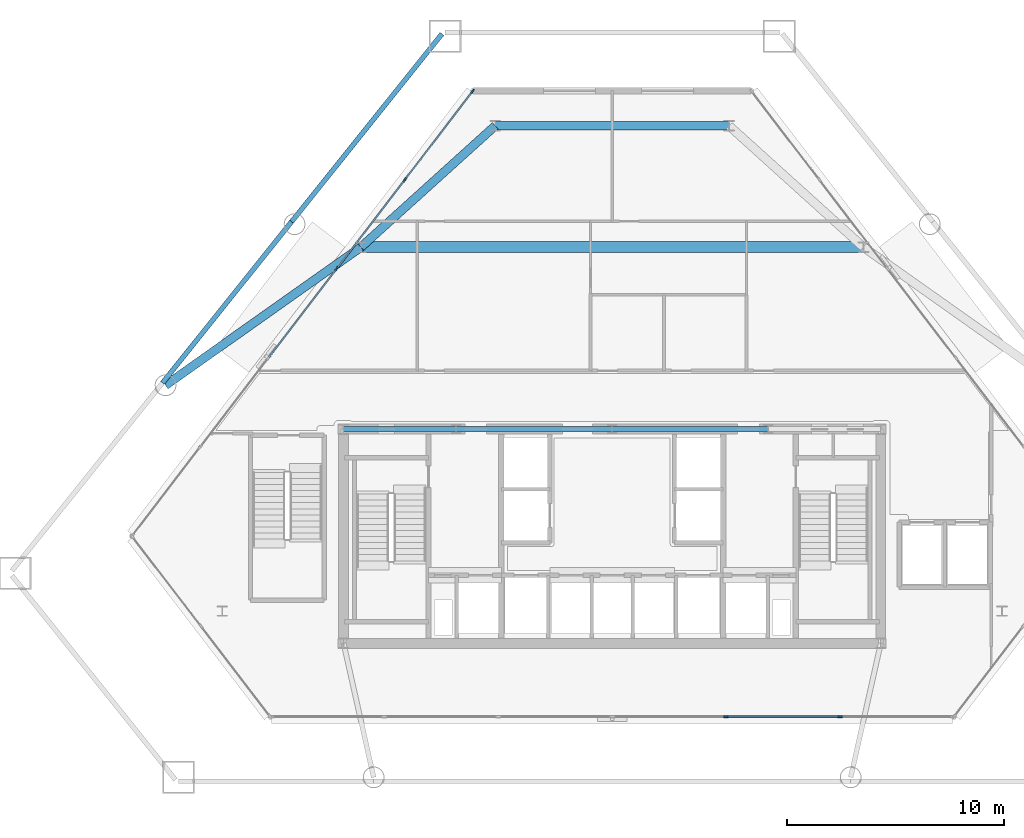
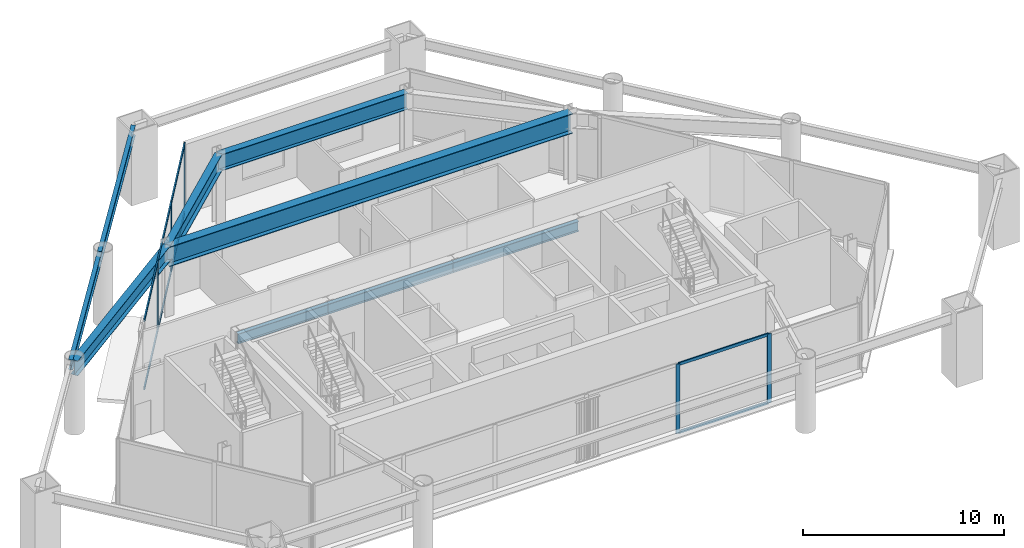
# One storey, part 4 of 11: 13 members, 9 beams, 2 elements without a shape of their own.
"""IFC4 building model written with IfcOpenShell, lengths in metres."""

from ifc_helpers import new_model, si_unit, direction, frame, origin, origin_2d, place, context, subcontext, project, spatial, rectangle, i_section, extrude, material, layer, layer_set, material_profile, profile_set, type_object, element, aggregate, save


model = new_model("IFC4")

# Units and contexts
model_context = context("Model", 3, precision=1e-05, world=origin(), true_north=direction((0.0, 1.0)))
body_context = subcontext(model_context, "Body", "Model", "MODEL_VIEW")
ifc_project = project(units=[si_unit("LENGTHUNIT", "METRE"), si_unit("AREAUNIT", "SQUARE_METRE"), si_unit("VOLUMEUNIT", "CUBIC_METRE"), si_unit("PLANEANGLEUNIT", "RADIAN"), si_unit("MASSUNIT", "GRAM", prefix="KILO")], contexts=[model_context])

# Site, building, storey
site_placement = place(None, origin())
site = spatial("IfcSite", under=ifc_project, at=site_placement, CompositionType="ELEMENT")
building_placement = place(site_placement, origin())
building = spatial("IfcBuilding", under=site, at=building_placement, Name="Talgorran Terracotta Tower", CompositionType="ELEMENT")
storey_placement = place(building_placement, frame((0.0, 0.0, 5.39990234375)))
storey = spatial("IfcBuildingStorey", under=building, at=storey_placement, Name="L01", CompositionType="ELEMENT", Elevation=5.39990234375)

# Beams
ifc_material_1 = material(Name="Steel Grade 350 (350L0)", Category="steel")
ifc_material_profile_1 = material_profile(ifc_material_1, i_section(OverallWidth=0.39990234375, OverallDepth=1.0, WebThickness=0.01611328125, FlangeThickness=0.031005859375, at=origin_2d()), Name="1000WB296")
ifc_profile_set_1 = profile_set([ifc_material_profile_1], Name="Steel Grade 350 (350L0)")
beam_type_1 = type_object("IfcBeamType", Name="BM_1000WB296", PredefinedType="BEAM", material=ifc_profile_set_1)
beam_1_placement = place(storey_placement, frame((-11.60009765625, 4.199951171875, 3.72021484375), z_axis=(0.742107331558, 0.670281066754, 0.0), x_axis=(-0.670281066754, 0.742107331558, 0.0)))
element("IfcBeam", 1, at=beam_1_placement, inside=storey, type_object=beam_type_1, Name="L01 Podium Girder PG2", PredefinedType="BEAM", context=body_context, shape_type="SweptSolid", body=[
    extrude(i_section(OverallWidth=0.39990234375, OverallDepth=1.0, WebThickness=0.01611328125, FlangeThickness=0.031005859375, at=origin_2d()), origin(), (0.0, 0.0, 1.0), 8.354736328125),
])
beam_2_placement = place(storey_placement, frame((-5.39990234375, 9.800048828125, 3.72021484375), z_axis=(1.0, 0.0, 0.0), x_axis=(0.0, 1.0, 0.0)))
element("IfcBeam", 2, at=beam_2_placement, inside=storey, type_object=beam_type_1, Name="L01 Podium Girder PG4", PredefinedType="BEAM", context=body_context, shape_type="SweptSolid", body=[
    extrude(i_section(OverallWidth=0.39990234375, OverallDepth=1.0, WebThickness=0.01611328125, FlangeThickness=0.031005859375, at=origin_2d()), origin(), (0.0, 0.0, 1.0), 10.7998046875),
])
ifc_material_profile_2 = material_profile(ifc_material_1, i_section(OverallWidth=0.5, OverallDepth=1.199951171875, WebThickness=0.01611328125, FlangeThickness=0.035888671875, at=origin_2d()), Name="1200WB392")
ifc_profile_set_2 = profile_set([ifc_material_profile_2], Name="Steel Grade 350 (350L0)")
beam_type_2 = type_object("IfcBeamType", Name="BM_1200WB392", PredefinedType="BEAM", material=ifc_profile_set_2)
beam_3_placement = place(storey_placement, frame((-11.60009765625, 4.199951171875, 3.6201171875), z_axis=(1.0, 0.0, 0.0), x_axis=(0.0, 1.0, 0.0)))
element("IfcBeam", 3, at=beam_3_placement, inside=storey, type_object=beam_type_2, Name="L01 Podium Girder PG1", PredefinedType="BEAM", context=body_context, shape_type="SweptSolid", body=[
    extrude(i_section(OverallWidth=0.5, OverallDepth=1.199951171875, WebThickness=0.01611328125, FlangeThickness=0.035888671875, at=origin_2d()), origin(), (0.0, 0.0, 1.0), 23.2001953125),
])
ifc_material_profile_3 = material_profile(ifc_material_1, i_section(OverallWidth=0.39990234375, OverallDepth=0.907958984375, WebThickness=0.01611328125, FlangeThickness=0.02490234375, at=origin_2d()), Name="900WB257")
ifc_profile_set_3 = profile_set([ifc_material_profile_3], Name="Steel Grade 350 (350L0)")
beam_type_3 = type_object("IfcBeamType", Name="BM_900WB257", PredefinedType="BEAM", material=ifc_profile_set_3)
beam_4_placement = place(storey_placement, frame((-20.620361328125, -2.1787109375, 3.76611328125), z_axis=(0.816480686171, 0.577372747113, 0.0), x_axis=(-0.577372747113, 0.816480686171, 0.0)))
element("IfcBeam", 4, at=beam_4_placement, inside=storey, type_object=beam_type_3, Name="L01 Podium Girder PG7", PredefinedType="BEAM", context=body_context, shape_type="SweptSolid", body=[
    extrude(i_section(OverallWidth=0.39990234375, OverallDepth=0.907958984375, WebThickness=0.01611328125, FlangeThickness=0.02490234375, at=origin_2d()), origin(), (0.0, 0.0, 1.0), 11.0478515625),
])
ifc_material_2 = material(Name="Steel S355 (300PLUS)", Category="steel")
ifc_material_profile_4 = material_profile(ifc_material_2, i_section(OverallWidth=0.22900390625, OverallDepth=0.611572265625, WebThickness=0.011962890625, FlangeThickness=0.01953125, at=origin_2d()), Name="610UB125")
ifc_profile_set_4 = profile_set([ifc_material_profile_4], Name="Steel S355 (300PLUS)")
beam_type_4 = type_object("IfcBeamType", Name="BM_SP_610UB125", PredefinedType="SPANDREL", material=ifc_profile_set_4)
beam_5_placement = place(storey_placement, frame((-7.854736328125, 14.048583984375, 3.914306640625), z_axis=(-0.625115426811, -0.780532320383, 0.0), x_axis=(0.780532320383, -0.625115426811, 0.0)))
element("IfcBeam", 5, at=beam_5_placement, inside=storey, type_object=beam_type_4, Name="L01 Perimeter Spandrel Beam MC6-FC5", PredefinedType="SPANDREL", context=body_context, shape_type="SweptSolid", body=[
    extrude(i_section(OverallWidth=0.22900390625, OverallDepth=0.611572265625, WebThickness=0.011962890625, FlangeThickness=0.01953125, at=origin_2d()), origin(), (0.0, 0.0, 1.0), 11.1171875),
])
beam_6_placement = place(storey_placement, frame((-14.80419921875, 5.371337890625, 3.914306640625), z_axis=(-0.625101149619, -0.780543754536, 0.0), x_axis=(0.780543754536, -0.625101149619, 0.0)))
element("IfcBeam", 6, at=beam_6_placement, inside=storey, type_object=beam_type_4, Name="L01 Perimeter Spandrel Beam FC5-FC6", PredefinedType="SPANDREL", context=body_context, shape_type="SweptSolid", body=[
    extrude(i_section(OverallWidth=0.22900390625, OverallDepth=0.611572265625, WebThickness=0.011962890625, FlangeThickness=0.01953125, at=origin_2d()), origin(), (0.0, 0.0, 1.0), 9.52880859375),
])
beam_7_placement = place(storey_placement, frame((-12.39990234375, -4.199951171875, 3.914306640625), z_axis=(1.0, 0.0, 0.0), x_axis=(0.0, 1.0, 0.0)))
element("IfcBeam", 7, at=beam_7_placement, inside=storey, type_object=beam_type_4, Name="L01 Core Frame Beam CFN1", PredefinedType="SPANDREL", context=body_context, shape_type="SweptSolid", body=[
    extrude(i_section(OverallWidth=0.22900390625, OverallDepth=0.611572265625, WebThickness=0.011962890625, FlangeThickness=0.01953125, at=origin_2d()), origin(), (0.0, 0.0, 1.0), 5.199951171875),
])
for number, where, z_axis, x_axis, name in (
    (8, (-7.199951171875, -4.199951171875, 3.914306640625), (1.0, 0.0, 0.0), (0.0, 1.0, 0.0), "L01 Core Frame Beam CFN2"),
    (9, (0.0, -4.199951171875, 3.914306640625), (1.0, 0.0, 0.0), (0.0, 1.0, 0.0), "L01 Core Frame Beam CFN3"),
):
    element("IfcBeam", number, at=place(storey_placement, frame(where, z_axis=z_axis, x_axis=x_axis)), inside=storey, type_object=beam_type_4, Name=name, PredefinedType="SPANDREL", context=body_context, shape_type="SweptSolid", body=[
        extrude(i_section(OverallWidth=0.22900390625, OverallDepth=0.611572265625, WebThickness=0.011962890625, FlangeThickness=0.01953125, at=origin_2d()), origin(), (0.0, 0.0, 1.0), 7.199951171875),
    ])

# Curtain wall, members
ifc_material_3 = material(Name="Terracotta and Low-E Glazing", Category="masonry")
ifc_layer = layer(ifc_material_3, 0.219970703125, Name="CW_SYS1_PODIUM")
ifc_layer_set = layer_set([ifc_layer], Name="Terracotta and Low-E Glazing")
curtain_wall_type = type_object("IfcCurtainWallType", Name="CW_SYS1_PODIUM", PredefinedType="NOTDEFINED", material=ifc_layer_set)
curtain_wall_1_placement = place(storey_placement, origin())
curtain_wall_1 = element("IfcCurtainWall", 10, at=curtain_wall_1_placement, inside=storey, type_object=curtain_wall_type, Name="CW-L01-F1", PredefinedType="NOTDEFINED")
ifc_material_4 = material(Name="Architectural Aluminium 6063-T6", Category="aluminium")
ifc_material_profile_5 = material_profile(ifc_material_4, rectangle(XDim=0.074951171875, YDim=0.219970703125, at=origin_2d()), Name="CWM75X220")
ifc_profile_set_5 = profile_set([ifc_material_profile_5], Name="Architectural Aluminium 6063-T6")
member_type_1 = type_object("IfcMemberType", Name="MUL_75X220", PredefinedType="MULLION", material=ifc_profile_set_5)
member_1_placement = place(storey_placement, frame((5.26025390625, -17.47998046875, 0.0), z_axis=(0.0, 0.0, 1.0), x_axis=(0.0, 1.0, 0.0)))
member_1 = element("IfcMember", 11, at=member_1_placement, type_object=member_type_1, Name="CW-L01-1 mullion 5", PredefinedType="MULLION", context=body_context, shape_type="SweptSolid", body=[
    extrude(rectangle(XDim=0.074951171875, YDim=0.219970703125, at=origin_2d()), origin(), (0.0, 0.0, 1.0), 4.22021484375),
])
member_2_placement = place(storey_placement, frame((10.5205078125, -17.47998046875, 0.0), z_axis=(0.0, 0.0, 1.0), x_axis=(0.0, 1.0, 0.0)))
member_2 = element("IfcMember", 12, at=member_2_placement, type_object=member_type_1, Name="CW-L01-1 mullion 6", PredefinedType="MULLION", context=body_context, shape_type="SweptSolid", body=[
    extrude(rectangle(XDim=0.074951171875, YDim=0.219970703125, at=origin_2d()), origin(), (0.0, 0.0, 1.0), 4.22021484375),
])

curtain_wall_2_placement = place(storey_placement, origin())
curtain_wall_2 = element("IfcCurtainWall", 13, at=curtain_wall_2_placement, inside=storey, type_object=curtain_wall_type, Name="CW-L01-F5", PredefinedType="NOTDEFINED")
member_3_placement = place(storey_placement, frame((-6.443603515625, 11.39013671875, 0.0), z_axis=(0.0, 0.0, 1.0), x_axis=(0.793879732377, -0.608074806682, 0.0)))
member_3 = element("IfcMember", 14, at=member_3_placement, type_object=member_type_1, Name="CW-L01-5 mullion 1", PredefinedType="MULLION", context=body_context, shape_type="SweptSolid", body=[
    extrude(rectangle(XDim=0.074951171875, YDim=0.219970703125, at=origin_2d()), origin(), (0.0, 0.0, 1.0), 4.22021484375),
])
member_4_placement = place(storey_placement, frame((-9.5703125, 7.30810546875, 0.0), z_axis=(0.0, 0.0, 1.0), x_axis=(0.793879732377, -0.608074806682, 0.0)))
member_4 = element("IfcMember", 15, at=member_4_placement, type_object=member_type_1, Name="CW-L01-5 mullion 2", PredefinedType="MULLION", context=body_context, shape_type="SweptSolid", body=[
    extrude(rectangle(XDim=0.074951171875, YDim=0.219970703125, at=origin_2d()), origin(), (0.0, 0.0, 1.0), 4.22021484375),
])
member_5_placement = place(storey_placement, frame((-12.719970703125, 3.196044921875, 0.0), z_axis=(0.0, 0.0, 1.0), x_axis=(0.793879732377, -0.608074806682, 0.0)))
member_5 = element("IfcMember", 16, at=member_5_placement, type_object=member_type_1, Name="CW-L01-5 mullion 3", PredefinedType="MULLION", context=body_context, shape_type="SweptSolid", body=[
    extrude(rectangle(XDim=0.074951171875, YDim=0.219970703125, at=origin_2d()), origin(), (0.0, 0.0, 1.0), 4.22021484375),
])

# Member
ifc_material_profile_6 = material_profile(ifc_material_4, rectangle(XDim=0.074951171875, YDim=0.179931640625, at=origin_2d()), Name="CWT75X180")
ifc_profile_set_6 = profile_set([ifc_material_profile_6], Name="Architectural Aluminium 6063-T6")
member_type_2 = type_object("IfcMemberType", Name="TRN_75X180", PredefinedType="USERDEFINED", material=ifc_profile_set_6)
member_6_placement = place(storey_placement, frame((5.2978515625, -17.47998046875, 0.03759765625), z_axis=(1.0, 0.0, 0.0), x_axis=(0.0, 1.0, 0.0)))
member_6 = element("IfcMember", 17, at=member_6_placement, type_object=member_type_2, Name="CW-L01-1 transom 5.1", ObjectType="TRANSOM", PredefinedType="USERDEFINED", context=body_context, shape_type="SweptSolid", body=[
    extrude(rectangle(XDim=0.074951171875, YDim=0.179931640625, at=origin_2d()), origin(), (0.0, 0.0, 1.0), 5.185302734375),
])

member_7_placement = place(storey_placement, frame((5.2978515625, -17.47998046875, 4.1826171875), z_axis=(1.0, 0.0, 0.0), x_axis=(0.0, 1.0, 0.0)))
member_7 = element("IfcMember", 18, at=member_7_placement, type_object=member_type_2, Name="CW-L01-1 transom 5.2", ObjectType="TRANSOM", PredefinedType="USERDEFINED", context=body_context, shape_type="SweptSolid", body=[
    extrude(rectangle(XDim=0.074951171875, YDim=0.179931640625, at=origin_2d()), origin(), (0.0, 0.0, 1.0), 5.185302734375),
])

aggregate(curtain_wall_1, [member_1, member_2, member_6, member_7])

member_8_placement = place(storey_placement, frame((-6.46630859375, 11.3603515625, 0.03759765625), z_axis=(-0.60810982824, -0.793852906273, 0.0), x_axis=(0.793852906273, -0.60810982824, 0.0)))
member_8 = element("IfcMember", 19, at=member_8_placement, type_object=member_type_2, Name="CW-L01-5 transom 1.1", ObjectType="TRANSOM", PredefinedType="USERDEFINED", context=body_context, shape_type="SweptSolid", body=[
    extrude(rectangle(XDim=0.074951171875, YDim=0.179931640625, at=origin_2d()), origin(), (0.0, 0.0, 1.0), 5.06689453125),
])

member_9_placement = place(storey_placement, frame((-6.46630859375, 11.3603515625, 4.1826171875), z_axis=(-0.60810982824, -0.793852906273, 0.0), x_axis=(0.793852906273, -0.60810982824, 0.0)))
member_9 = element("IfcMember", 20, at=member_9_placement, type_object=member_type_2, Name="CW-L01-5 transom 1.2", ObjectType="TRANSOM", PredefinedType="USERDEFINED", context=body_context, shape_type="SweptSolid", body=[
    extrude(rectangle(XDim=0.074951171875, YDim=0.179931640625, at=origin_2d()), origin(), (0.0, 0.0, 1.0), 5.06689453125),
])

member_10_placement = place(storey_placement, frame((-9.59326171875, 7.2783203125, 0.03759765625), z_axis=(-0.608073029785, -0.793881093394, 0.0), x_axis=(0.793881093394, -0.608073029785, 0.0)))
member_10 = element("IfcMember", 21, at=member_10_placement, type_object=member_type_2, Name="CW-L01-5 transom 2.1", ObjectType="TRANSOM", PredefinedType="USERDEFINED", context=body_context, shape_type="SweptSolid", body=[
    extrude(rectangle(XDim=0.074951171875, YDim=0.179931640625, at=origin_2d()), origin(), (0.0, 0.0, 1.0), 5.104736328125),
])

member_11_placement = place(storey_placement, frame((-9.59326171875, 7.2783203125, 4.1826171875), z_axis=(-0.608073029785, -0.793881093394, 0.0), x_axis=(0.793881093394, -0.608073029785, 0.0)))
member_11 = element("IfcMember", 22, at=member_11_placement, type_object=member_type_2, Name="CW-L01-5 transom 2.2", ObjectType="TRANSOM", PredefinedType="USERDEFINED", context=body_context, shape_type="SweptSolid", body=[
    extrude(rectangle(XDim=0.074951171875, YDim=0.179931640625, at=origin_2d()), origin(), (0.0, 0.0, 1.0), 5.104736328125),
])

member_12_placement = place(storey_placement, frame((-12.742919921875, 3.166259765625, 0.03759765625), z_axis=(-0.608042885611, -0.793904181409, 0.0), x_axis=(0.793904181409, -0.608042885611, 0.0)))
member_12 = element("IfcMember", 23, at=member_12_placement, type_object=member_type_2, Name="CW-L01-5 transom 3.1", ObjectType="TRANSOM", PredefinedType="USERDEFINED", context=body_context, shape_type="SweptSolid", body=[
    extrude(rectangle(XDim=0.074951171875, YDim=0.179931640625, at=origin_2d()), origin(), (0.0, 0.0, 1.0), 5.1044921875),
])

member_13_placement = place(storey_placement, frame((-12.742919921875, 3.166259765625, 4.1826171875), z_axis=(-0.608042885611, -0.793904181409, 0.0), x_axis=(0.793904181409, -0.608042885611, 0.0)))
member_13 = element("IfcMember", 24, at=member_13_placement, type_object=member_type_2, Name="CW-L01-5 transom 3.2", ObjectType="TRANSOM", PredefinedType="USERDEFINED", context=body_context, shape_type="SweptSolid", body=[
    extrude(rectangle(XDim=0.074951171875, YDim=0.179931640625, at=origin_2d()), origin(), (0.0, 0.0, 1.0), 5.1044921875),
])

aggregate(curtain_wall_2, [member_3, member_4, member_5, member_8, member_9, member_10, member_11, member_12, member_13])

save(model, "model.ifc")
